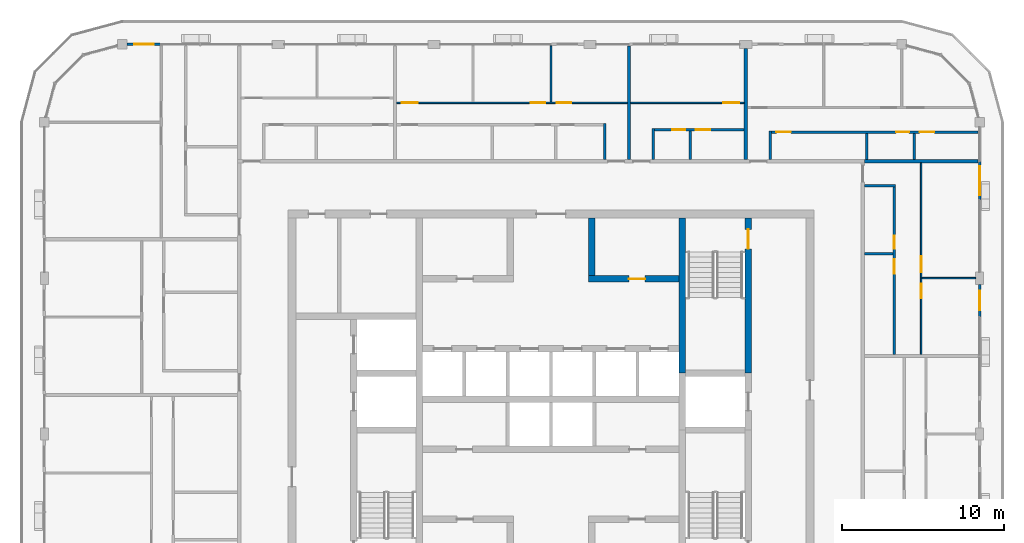
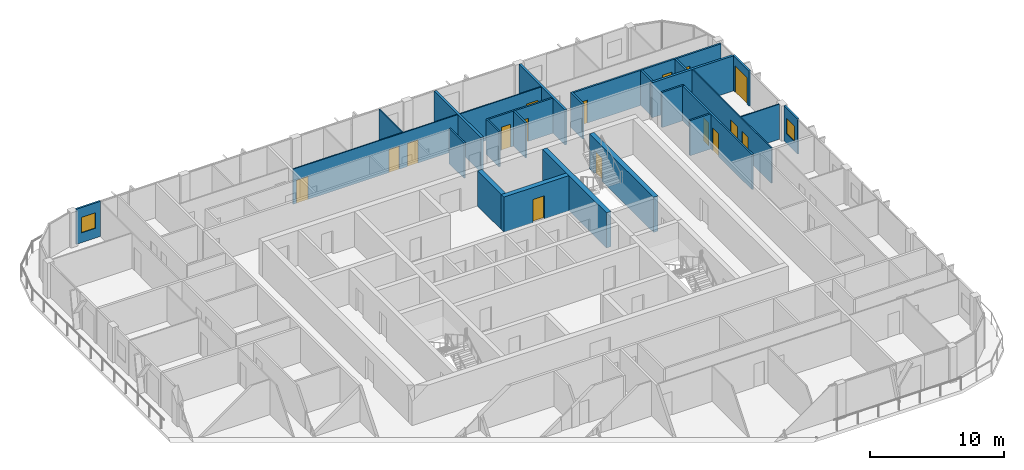
# One storey, part 14 of 21: 26 walls, 16 doors, 2 windows, 18 openings.
"""IFC4 building model written with IfcOpenShell, lengths in metres."""

from ifc_helpers import new_model, si_unit, direction, frame, frame_2d, origin, place, context, subcontext, project, spatial, rectangle, extrude, material, layer, layer_set, type_object, element, fill, save


model = new_model("IFC4")

# Units and contexts
model_context = context("Model", 3, precision=1e-05, world=origin(), true_north=direction((0.0, 1.0)))
body_context = subcontext(model_context, "Body", "Model", "MODEL_VIEW")
ifc_project = project(units=[si_unit("LENGTHUNIT", "METRE"), si_unit("AREAUNIT", "SQUARE_METRE"), si_unit("VOLUMEUNIT", "CUBIC_METRE"), si_unit("PLANEANGLEUNIT", "RADIAN"), si_unit("MASSUNIT", "GRAM", prefix="KILO")], contexts=[model_context])

# Site, building, storey
site_placement = place(None, origin())
site = spatial("IfcSite", under=ifc_project, at=site_placement, CompositionType="ELEMENT")
building_placement = place(site_placement, origin())
building = spatial("IfcBuilding", under=site, at=building_placement, Name="Madar Terraces", CompositionType="ELEMENT")
storey_placement = place(building_placement, frame((0.0, 0.0, 275.60009765625)))
storey = spatial("IfcBuildingStorey", under=building, at=storey_placement, Name="L72", CompositionType="ELEMENT", Elevation=275.60009765625)

# Wall
ifc_material_1 = material(Name="Concrete C50/60", Category="concrete")
ifc_layer_1 = layer(ifc_material_1, 0.39990234375)
ifc_layer_set_1 = layer_set([ifc_layer_1], Name="Concrete C50/60 (CIW6 RC wall 400)")
wall_type_1 = type_object("IfcWallType", Name="CIW6 RC wall 400", PredefinedType="SHEAR", material=ifc_layer_set_1)
wall_1_placement = place(storey_placement, frame((39.300048828125, 27.75, 0.0), z_axis=(0.0, 0.0, 1.0), x_axis=(0.0, 1.0, 0.0)))
element("IfcWall", 1, at=wall_1_placement, inside=storey, type_object=wall_type_1, Name="CORE SHAFT WALL", PredefinedType="SHEAR", context=body_context, shape_type="SweptSolid", body=[
    extrude(rectangle(XDim=9.550048828125, YDim=0.39990234375, at=frame_2d((4.77490234375, 0.0))), origin(), (0.0, 0.0, 1.0), 3.199951171875),
])

# Wall, opening, door
wall_2_placement = place(storey_placement, frame((43.35009765625, 27.75, 0.0), z_axis=(0.0, 0.0, 1.0), x_axis=(0.0, 1.0, 0.0)))
wall_2 = element("IfcWall", 2, at=wall_2_placement, inside=storey, type_object=wall_type_1, Name="CORE SHAFT WALL", PredefinedType="SHEAR", context=body_context, shape_type="SweptSolid", body=[
    extrude(rectangle(XDim=9.550048828125, YDim=0.39990234375, at=frame_2d((4.77490234375, 0.0))), origin(), (0.0, 0.0, 1.0), 3.199951171875),
])
opening_1_placement = place(wall_2_placement, frame((7.64990234375, 0.0, 0.0)))
opening_1 = element("IfcOpeningElement", 3, at=opening_1_placement, cuts=wall_2, Name="Opening SD1", PredefinedType="OPENING", context=body_context, shape_type="SweptSolid", body=[
    extrude(rectangle(XDim=1.199951171875, YDim=2.10009765625, at=frame_2d((0.60009765625, 1.050048828125))), frame((0.0, 0.2099609375, 0.0), z_axis=(0.0, -1.0, 0.0), x_axis=(1.0, 0.0, 0.0)), (0.0, 0.0, 1.0), 0.419921875),
])
ifc_material_2 = material(Name="Steel door leaf", Category="steel")
door_type_1 = type_object("IfcDoorType", Name="Stair door 1200 x 2100", OperationType="NOTDEFINED", PredefinedType="DOOR", material=ifc_material_2)
door_1_placement = place(opening_1_placement, origin())
door_1 = element("IfcDoor", 4, at=door_1_placement, inside=storey, type_object=door_type_1, Name="STAIR DOOR", OperationType="SINGLE_SWING_RIGHT", OverallHeight=2.10009765625, OverallWidth=1.199951171875, PredefinedType="DOOR", context=body_context, shape_type="SweptSolid", body=[
    extrude(rectangle(XDim=1.199951171875, YDim=2.10009765625, at=frame_2d((0.60009765625, 1.050048828125))), frame((0.0, 0.02490234375, 0.0), z_axis=(0.0, -1.0, 0.0), x_axis=(1.0, 0.0, 0.0)), (0.0, 0.0, 1.0), 0.050048828125),
])
fill(opening_1, door_1)

wall_3_placement = place(storey_placement, frame((33.5, 33.550048828125, 0.0), z_axis=(0.0, 0.0, 1.0), x_axis=(1.0, 0.0, 0.0)))
wall_3 = element("IfcWall", 5, at=wall_3_placement, inside=storey, type_object=wall_type_1, Name="CORE SHAFT WALL", PredefinedType="SHEAR", context=body_context, shape_type="SweptSolid", body=[
    extrude(rectangle(XDim=5.60009765625, YDim=0.39990234375, at=frame_2d((2.800048828125, 0.0))), origin(), (0.0, 0.0, 1.0), 3.199951171875),
])
opening_2_placement = place(wall_3_placement, frame((2.5, 0.0, 0.0)))
opening_2 = element("IfcOpeningElement", 6, at=opening_2_placement, cuts=wall_3, Name="Opening KD2", PredefinedType="OPENING", context=body_context, shape_type="SweptSolid", body=[
    extrude(rectangle(XDim=1.0, YDim=2.10009765625, at=frame_2d((0.5, 1.050048828125))), frame((0.0, 0.2099609375, 0.0), z_axis=(0.0, -1.0, 0.0), x_axis=(1.0, 0.0, 0.0)), (0.0, 0.0, 1.0), 0.419921875),
])
ifc_material_3 = material(Name="Steel door leaf", Category="steel")
door_type_2 = type_object("IfcDoorType", Name="Service room door 1000 x 2100", OperationType="NOTDEFINED", PredefinedType="DOOR", material=ifc_material_3)
door_2_placement = place(opening_2_placement, frame((1.0, 0.0, 0.0), z_axis=(0.0, 0.0, 1.0), x_axis=(-1.0, 0.0, 0.0)))
door_2 = element("IfcDoor", 7, at=door_2_placement, inside=storey, type_object=door_type_2, Name="SERVICE ROOM DOOR", OperationType="SINGLE_SWING_RIGHT", OverallHeight=2.10009765625, OverallWidth=1.0, PredefinedType="DOOR", context=body_context, shape_type="SweptSolid", body=[
    extrude(rectangle(XDim=1.0, YDim=2.10009765625, at=frame_2d((0.5, 1.050048828125))), frame((0.0, 0.02490234375, 0.0), z_axis=(0.0, -1.0, 0.0), x_axis=(1.0, 0.0, 0.0)), (0.0, 0.0, 1.0), 0.050048828125),
])
fill(opening_2, door_2)

# Wall
wall_4_placement = place(storey_placement, frame((33.699951171875, 33.75, 0.0), z_axis=(0.0, 0.0, 1.0), x_axis=(0.0, 1.0, 0.0)))
element("IfcWall", 8, at=wall_4_placement, inside=storey, type_object=wall_type_1, Name="CORE SHAFT WALL", PredefinedType="SHEAR", context=body_context, shape_type="SweptSolid", body=[
    extrude(rectangle(XDim=3.550048828125, YDim=0.39990234375, at=frame_2d((1.77490234375, 0.0))), origin(), (0.0, 0.0, 1.0), 3.199951171875),
])

# Wall, opening, window
ifc_material_4 = material(Name="Aluminium composite panel, black, over insulated backing", Category="aluminium")
ifc_layer_2 = layer(ifc_material_4, 0.14990234375)
ifc_layer_set_2 = layer_set([ifc_layer_2], Name="Facade bay panel 150")
wall_type_2 = type_object("IfcWallType", Name="Facade bay panel 150", PredefinedType="SOLIDWALL", material=ifc_layer_set_2)
wall_5_placement = place(storey_placement, frame((57.60009765625, 31.199951171875, 0.0), z_axis=(0.0, 0.0, 1.0), x_axis=(0.0, 1.0, 0.0)))
wall_5 = element("IfcWall", 9, at=wall_5_placement, inside=storey, type_object=wall_type_2, Name="Facade bay panel", PredefinedType="SOLIDWALL", context=body_context, shape_type="SweptSolid", body=[
    extrude(rectangle(XDim=2.025146484375, YDim=0.14990234375, at=frame_2d((1.0126953125, 0.0))), origin(), (0.0, 0.0, 1.0), 3.199951171875),
])
opening_3_placement = place(wall_5_placement, frame((0.41259765625, 0.0, 0.89990234375)))
opening_3 = element("IfcOpeningElement", 10, at=opening_3_placement, cuts=wall_5, Name="Opening W1", PredefinedType="OPENING", context=body_context, shape_type="SweptSolid", body=[
    extrude(rectangle(XDim=1.199951171875, YDim=1.39990234375, at=frame_2d((0.60009765625, 0.699951171875))), frame((0.0, 0.0849609375, 0.0), z_axis=(0.0, -1.0, 0.0), x_axis=(1.0, 0.0, 0.0)), (0.0, 0.0, 1.0), 0.169921875),
])
ifc_material_5 = material(Name="Glass, clear, with black aluminium frame", Category="aluminium")
window_type = type_object("IfcWindowType", Name="Vent window 1200 x 1400", PartitioningType="SINGLE_PANEL", PredefinedType="WINDOW", material=ifc_material_5)
window_1_placement = place(opening_3_placement, origin())
window_1 = element("IfcWindow", 11, at=window_1_placement, inside=storey, type_object=window_type, Name="Operable vent window", OverallHeight=1.39990234375, OverallWidth=1.199951171875, PartitioningType="SINGLE_PANEL", PredefinedType="WINDOW", context=body_context, shape_type="SweptSolid", body=[
    extrude(rectangle(XDim=1.199951171875, YDim=1.39990234375, at=frame_2d((0.60009765625, 0.699951171875))), frame((0.0, 0.030029296875, 0.0), z_axis=(0.0, -1.0, 0.0), x_axis=(1.0, 0.0, 0.0)), (0.0, 0.0, 1.0), 0.06005859375),
])
fill(opening_3, window_1)

# Wall, opening, door
wall_6_placement = place(storey_placement, frame((57.60009765625, 38.39990234375, 0.0), z_axis=(0.0, 0.0, 1.0), x_axis=(0.0, 1.0, 0.0)))
wall_6 = element("IfcWall", 12, at=wall_6_placement, inside=storey, type_object=wall_type_2, Name="Facade bay panel", PredefinedType="SOLIDWALL", context=body_context, shape_type="SweptSolid", body=[
    extrude(rectangle(XDim=2.400146484375, YDim=0.14990234375, at=frame_2d((1.2001953125, 0.0))), origin(), (0.0, 0.0, 1.0), 3.199951171875),
])
opening_4_placement = place(wall_6_placement, frame((0.300048828125, 0.0, 0.0)))
opening_4 = element("IfcOpeningElement", 13, at=opening_4_placement, cuts=wall_6, Name="Opening ED1", PredefinedType="OPENING", context=body_context, shape_type="SweptSolid", body=[
    extrude(rectangle(XDim=1.800048828125, YDim=2.39990234375, at=frame_2d((0.89990234375, 1.199951171875))), frame((0.0, 0.0849609375, 0.0), z_axis=(0.0, -1.0, 0.0), x_axis=(1.0, 0.0, 0.0)), (0.0, 0.0, 1.0), 0.169921875),
])
ifc_material_6 = material(Name="Glass, clear, with black aluminium frame", Category="aluminium")
door_type_3 = type_object("IfcDoorType", Name="Balcony and terrace sliding door 1800 x 2400", OperationType="SLIDING_TO_LEFT", PredefinedType="DOOR", material=ifc_material_6)
door_3_placement = place(opening_4_placement, origin())
door_3 = element("IfcDoor", 14, at=door_3_placement, inside=storey, type_object=door_type_3, Name="Balcony door", OperationType="SLIDING_TO_LEFT", OverallHeight=2.39990234375, OverallWidth=1.800048828125, PredefinedType="DOOR", context=body_context, shape_type="SweptSolid", body=[
    extrude(rectangle(XDim=1.800048828125, YDim=2.39990234375, at=frame_2d((0.89990234375, 1.199951171875))), frame((0.0, 0.02490234375, 0.0), z_axis=(0.0, -1.0, 0.0), x_axis=(1.0, 0.0, 0.0)), (0.0, 0.0, 1.0), 0.050048828125),
])
fill(opening_4, door_3)

# Wall, opening, window
wall_7_placement = place(storey_placement, frame((7.199951171875, 48.0, 0.0), z_axis=(0.0, 0.0, 1.0), x_axis=(-1.0, 0.0, 0.0)))
wall_7 = element("IfcWall", 15, at=wall_7_placement, inside=storey, type_object=wall_type_2, Name="Facade bay panel", PredefinedType="SOLIDWALL", context=body_context, shape_type="SweptSolid", body=[
    extrude(rectangle(XDim=2.099853515625, YDim=0.14990234375, at=frame_2d((1.0498046875, 0.0))), origin(), (0.0, 0.0, 1.0), 3.199951171875),
])
opening_5_placement = place(wall_7_placement, frame((0.449951171875, 0.0, 0.89990234375)))
opening_5 = element("IfcOpeningElement", 16, at=opening_5_placement, cuts=wall_7, Name="Opening W1", PredefinedType="OPENING", context=body_context, shape_type="SweptSolid", body=[
    extrude(rectangle(XDim=1.199951171875, YDim=1.39990234375, at=frame_2d((0.60009765625, 0.699951171875))), frame((0.0, 0.0849609375, 0.0), z_axis=(0.0, -1.0, 0.0), x_axis=(1.0, 0.0, 0.0)), (0.0, 0.0, 1.0), 0.169921875),
])
window_2_placement = place(opening_5_placement, origin())
window_2 = element("IfcWindow", 17, at=window_2_placement, inside=storey, type_object=window_type, Name="Operable vent window", OverallHeight=1.39990234375, OverallWidth=1.199951171875, PartitioningType="SINGLE_PANEL", PredefinedType="WINDOW", context=body_context, shape_type="SweptSolid", body=[
    extrude(rectangle(XDim=1.199951171875, YDim=1.39990234375, at=frame_2d((0.60009765625, 0.699951171875))), frame((0.0, 0.030029296875, 0.0), z_axis=(0.0, -1.0, 0.0), x_axis=(1.0, 0.0, 0.0)), (0.0, 0.0, 1.0), 0.06005859375),
])
fill(opening_5, window_2)

# Wall
ifc_material_7 = material(Name="Gypsum board on steel studs", Category="steel")
ifc_layer_3 = layer(ifc_material_7, 0.10009765625)
ifc_layer_set_3 = layer_set([ifc_layer_3], Name="Flat partition 100")
wall_type_3 = type_object("IfcWallType", Name="Flat partition 100", PredefinedType="PARTITIONING", material=ifc_layer_set_3)
wall_8_placement = place(storey_placement, frame((54.050048828125, 33.60009765625, 0.0), z_axis=(0.0, 0.0, 1.0), x_axis=(1.0, 0.0, 0.0)))
element("IfcWall", 18, at=wall_8_placement, inside=storey, type_object=wall_type_3, Name="Flat partition 100", PredefinedType="PARTITIONING", context=body_context, shape_type="SweptSolid", body=[
    extrude(rectangle(XDim=3.300048828125, YDim=0.10009765625, at=frame_2d((1.64990234375, 0.0))), origin(), (0.0, 0.0, 1.0), 3.199951171875),
])

# Wall, openings, doors
wall_9_placement = place(storey_placement, frame((54.0, 40.699951171875, 0.0), z_axis=(0.0, 0.0, 1.0), x_axis=(0.0, -1.0, 0.0)))
wall_9 = element("IfcWall", 19, at=wall_9_placement, inside=storey, type_object=wall_type_3, Name="Flat partition 100", PredefinedType="PARTITIONING", context=body_context, shape_type="SweptSolid", body=[
    extrude(rectangle(XDim=11.800048828125, YDim=0.10009765625, at=frame_2d((5.89990234375, 0.0))), origin(), (0.0, 0.0, 1.0), 3.199951171875),
])
opening_6_placement = place(wall_9_placement, frame((5.75, 0.0, 0.0)))
opening_6 = element("IfcOpeningElement", 20, at=opening_6_placement, cuts=wall_9, Name="Opening D3", PredefinedType="OPENING", context=body_context, shape_type="SweptSolid", body=[
    extrude(rectangle(XDim=1.0, YDim=2.10009765625, at=frame_2d((0.5, 1.050048828125))), frame((0.0, 0.06005859375, 0.0), z_axis=(0.0, -1.0, 0.0), x_axis=(1.0, 0.0, 0.0)), (0.0, 0.0, 1.0), 0.1201171875),
])
opening_7_placement = place(wall_9_placement, frame((7.449951171875, 0.0, 0.0)))
opening_7 = element("IfcOpeningElement", 21, at=opening_7_placement, cuts=wall_9, Name="Opening D2", PredefinedType="OPENING", context=body_context, shape_type="SweptSolid", body=[
    extrude(rectangle(XDim=0.89990234375, YDim=2.10009765625, at=frame_2d((0.449951171875, 1.050048828125))), frame((0.0, 0.06005859375, 0.0), z_axis=(0.0, -1.0, 0.0), x_axis=(1.0, 0.0, 0.0)), (0.0, 0.0, 1.0), 0.1201171875),
])
ifc_material_8 = material(Name="Timber door leaf", Category="wood")
door_type_4 = type_object("IfcDoorType", Name="Flat living room door 1000", OperationType="NOTDEFINED", PredefinedType="DOOR", material=ifc_material_8)
door_4_placement = place(opening_6_placement, origin())
door_4 = element("IfcDoor", 22, at=door_4_placement, inside=storey, type_object=door_type_4, Name="Flat living room door 1000", OperationType="SINGLE_SWING_RIGHT", OverallHeight=2.10009765625, OverallWidth=1.0, PredefinedType="DOOR", context=body_context, shape_type="SweptSolid", body=[
    extrude(rectangle(XDim=1.0, YDim=2.10009765625, at=frame_2d((0.5, 1.050048828125))), frame((0.0, 0.02490234375, 0.0), z_axis=(0.0, -1.0, 0.0), x_axis=(1.0, 0.0, 0.0)), (0.0, 0.0, 1.0), 0.050048828125),
])
fill(opening_6, door_4)
ifc_material_9 = material(Name="Timber door leaf", Category="wood")
door_type_5 = type_object("IfcDoorType", Name="Flat room door 900", OperationType="NOTDEFINED", PredefinedType="DOOR", material=ifc_material_9)
door_5_placement = place(opening_7_placement, origin())
door_5 = element("IfcDoor", 23, at=door_5_placement, inside=storey, type_object=door_type_5, Name="Flat room door 900", OperationType="SINGLE_SWING_LEFT", OverallHeight=2.10009765625, OverallWidth=0.89990234375, PredefinedType="DOOR", context=body_context, shape_type="SweptSolid", body=[
    extrude(rectangle(XDim=0.89990234375, YDim=2.10009765625, at=frame_2d((0.449951171875, 1.050048828125))), frame((0.0, 0.02490234375, 0.0), z_axis=(0.0, -1.0, 0.0), x_axis=(1.0, 0.0, 0.0)), (0.0, 0.0, 1.0), 0.050048828125),
])
fill(opening_7, door_5)

# Wall, opening, door
wall_10_placement = place(storey_placement, frame((36.10009765625, 44.39990234375, 0.0), z_axis=(0.0, 0.0, 1.0), x_axis=(1.0, 0.0, 0.0)))
wall_10 = element("IfcWall", 24, at=wall_10_placement, inside=storey, type_object=wall_type_3, Name="Flat partition 100", PredefinedType="PARTITIONING", context=body_context, shape_type="SweptSolid", body=[
    extrude(rectangle(XDim=7.0, YDim=0.10009765625, at=frame_2d((3.5, 0.0))), origin(), (0.0, 0.0, 1.0), 3.199951171875),
])
opening_8_placement = place(wall_10_placement, frame((5.699951171875, 0.0, 0.0)))
opening_8 = element("IfcOpeningElement", 25, at=opening_8_placement, cuts=wall_10, Name="Opening D3", PredefinedType="OPENING", context=body_context, shape_type="SweptSolid", body=[
    extrude(rectangle(XDim=1.0, YDim=2.10009765625, at=frame_2d((0.5, 1.050048828125))), frame((0.0, 0.06005859375, 0.0), z_axis=(0.0, -1.0, 0.0), x_axis=(1.0, 0.0, 0.0)), (0.0, 0.0, 1.0), 0.1201171875),
])
door_6_placement = place(opening_8_placement, origin())
door_6 = element("IfcDoor", 26, at=door_6_placement, inside=storey, type_object=door_type_4, Name="Flat living room door 1000", OperationType="SINGLE_SWING_RIGHT", OverallHeight=2.10009765625, OverallWidth=1.0, PredefinedType="DOOR", context=body_context, shape_type="SweptSolid", body=[
    extrude(rectangle(XDim=1.0, YDim=2.10009765625, at=frame_2d((0.5, 1.050048828125))), frame((0.0, 0.02490234375, 0.0), z_axis=(0.0, -1.0, 0.0), x_axis=(1.0, 0.0, 0.0)), (0.0, 0.0, 1.0), 0.050048828125),
])
fill(opening_8, door_6)

# Wall
wall_11_placement = place(storey_placement, frame((31.199951171875, 44.449951171875, 0.0), z_axis=(0.0, 0.0, 1.0), x_axis=(0.0, 1.0, 0.0)))
element("IfcWall", 27, at=wall_11_placement, inside=storey, type_object=wall_type_3, Name="Flat partition 100", PredefinedType="PARTITIONING", context=body_context, shape_type="SweptSolid", body=[
    extrude(rectangle(XDim=3.449951171875, YDim=0.10009765625, at=frame_2d((1.72509765625, 0.0))), origin(), (0.0, 0.0, 1.0), 3.199951171875),
])

# Wall, openings, doors
wall_12_placement = place(storey_placement, frame((21.699951171875, 44.39990234375, 0.0), z_axis=(0.0, 0.0, 1.0), x_axis=(1.0, 0.0, 0.0)))
wall_12 = element("IfcWall", 28, at=wall_12_placement, inside=storey, type_object=wall_type_3, Name="Flat partition 100", PredefinedType="PARTITIONING", context=body_context, shape_type="SweptSolid", body=[
    extrude(rectangle(XDim=14.199951171875, YDim=0.10009765625, at=frame_2d((7.10009765625, 0.0))), origin(), (0.0, 0.0, 1.0), 3.199951171875),
])
opening_9_placement = place(wall_12_placement, frame((9.85009765625, 0.0, 0.0)))
opening_9 = element("IfcOpeningElement", 29, at=opening_9_placement, cuts=wall_12, Name="Opening D2", PredefinedType="OPENING", context=body_context, shape_type="SweptSolid", body=[
    extrude(rectangle(XDim=0.89990234375, YDim=2.10009765625, at=frame_2d((0.449951171875, 1.050048828125))), frame((0.0, 0.06005859375, 0.0), z_axis=(0.0, -1.0, 0.0), x_axis=(1.0, 0.0, 0.0)), (0.0, 0.0, 1.0), 0.1201171875),
])
opening_10_placement = place(wall_12_placement, frame((8.25, 0.0, 0.0)))
opening_10 = element("IfcOpeningElement", 30, at=opening_10_placement, cuts=wall_12, Name="Opening D2", PredefinedType="OPENING", context=body_context, shape_type="SweptSolid", body=[
    extrude(rectangle(XDim=0.89990234375, YDim=2.10009765625, at=frame_2d((0.449951171875, 1.050048828125))), frame((0.0, 0.06005859375, 0.0), z_axis=(0.0, -1.0, 0.0), x_axis=(1.0, 0.0, 0.0)), (0.0, 0.0, 1.0), 0.1201171875),
])
opening_11_placement = place(wall_12_placement, frame((0.300048828125, 0.0, 0.0)))
opening_11 = element("IfcOpeningElement", 31, at=opening_11_placement, cuts=wall_12, Name="Opening D3", PredefinedType="OPENING", context=body_context, shape_type="SweptSolid", body=[
    extrude(rectangle(XDim=1.0, YDim=2.10009765625, at=frame_2d((0.5, 1.050048828125))), frame((0.0, 0.06005859375, 0.0), z_axis=(0.0, -1.0, 0.0), x_axis=(1.0, 0.0, 0.0)), (0.0, 0.0, 1.0), 0.1201171875),
])
door_7_placement = place(opening_11_placement, origin())
door_7 = element("IfcDoor", 32, at=door_7_placement, inside=storey, type_object=door_type_4, Name="Flat living room door 1000", OperationType="SINGLE_SWING_LEFT", OverallHeight=2.10009765625, OverallWidth=1.0, PredefinedType="DOOR", context=body_context, shape_type="SweptSolid", body=[
    extrude(rectangle(XDim=1.0, YDim=2.10009765625, at=frame_2d((0.5, 1.050048828125))), frame((0.0, 0.02490234375, 0.0), z_axis=(0.0, -1.0, 0.0), x_axis=(1.0, 0.0, 0.0)), (0.0, 0.0, 1.0), 0.050048828125),
])
fill(opening_11, door_7)
door_8_placement = place(opening_9_placement, origin())
door_8 = element("IfcDoor", 33, at=door_8_placement, inside=storey, type_object=door_type_5, Name="Flat room door 900", OperationType="SINGLE_SWING_LEFT", OverallHeight=2.10009765625, OverallWidth=0.89990234375, PredefinedType="DOOR", context=body_context, shape_type="SweptSolid", body=[
    extrude(rectangle(XDim=0.89990234375, YDim=2.10009765625, at=frame_2d((0.449951171875, 1.050048828125))), frame((0.0, 0.02490234375, 0.0), z_axis=(0.0, -1.0, 0.0), x_axis=(1.0, 0.0, 0.0)), (0.0, 0.0, 1.0), 0.050048828125),
])
fill(opening_9, door_8)
door_9_placement = place(opening_10_placement, origin())
door_9 = element("IfcDoor", 34, at=door_9_placement, inside=storey, type_object=door_type_5, Name="Flat room door 900", OperationType="SINGLE_SWING_RIGHT", OverallHeight=2.10009765625, OverallWidth=0.89990234375, PredefinedType="DOOR", context=body_context, shape_type="SweptSolid", body=[
    extrude(rectangle(XDim=0.89990234375, YDim=2.10009765625, at=frame_2d((0.449951171875, 1.050048828125))), frame((0.0, 0.02490234375, 0.0), z_axis=(0.0, -1.0, 0.0), x_axis=(1.0, 0.0, 0.0)), (0.0, 0.0, 1.0), 0.050048828125),
])
fill(opening_10, door_9)

# Walls
ifc_material_10 = material(Name="Lightweight blockwork", Category="masonry")
ifc_layer_4 = layer(ifc_material_10, 0.199951171875)
ifc_layer_set_4 = layer_set([ifc_layer_4], Name="Flat party and entrance wall 200")
wall_type_4 = type_object("IfcWallType", Name="Flat party and entrance wall 200", PredefinedType="PARTITIONING", material=ifc_layer_set_4)
wall_13_placement = place(storey_placement, frame((50.5, 40.800048828125, 0.0), z_axis=(0.0, 0.0, 1.0), x_axis=(1.0, 0.0, 0.0)))
element("IfcWall", 35, at=wall_13_placement, inside=storey, type_object=wall_type_4, Name="Flat party and entrance wall 200", PredefinedType="PARTITIONING", context=body_context, shape_type="SweptSolid", body=[
    extrude(rectangle(XDim=7.0, YDim=0.199951171875, at=frame_2d((3.5, 0.0))), origin(), (0.0, 0.0, 1.0), 3.199951171875),
])
wall_14_placement = place(storey_placement, frame((43.199951171875, 47.75, 0.0), z_axis=(0.0, 0.0, 1.0), x_axis=(0.0, -1.0, 0.0)))
element("IfcWall", 36, at=wall_14_placement, inside=storey, type_object=wall_type_4, Name="Flat party and entrance wall 200", PredefinedType="PARTITIONING", context=body_context, shape_type="SweptSolid", body=[
    extrude(rectangle(XDim=6.85009765625, YDim=0.199951171875, at=frame_2d((3.425048828125, 0.0))), origin(), (0.0, 0.0, 1.0), 3.199951171875),
])
wall_15_placement = place(storey_placement, frame((36.0, 47.89990234375, 0.0), z_axis=(0.0, 0.0, 1.0), x_axis=(0.0, -1.0, 0.0)))
element("IfcWall", 37, at=wall_15_placement, inside=storey, type_object=wall_type_4, Name="Flat party and entrance wall 200", PredefinedType="PARTITIONING", context=body_context, shape_type="SweptSolid", body=[
    extrude(rectangle(XDim=7.0, YDim=0.199951171875, at=frame_2d((3.5, 0.0))), origin(), (0.0, 0.0, 1.0), 3.199951171875),
])
ifc_material_11 = material(Name="Lightweight blockwork", Category="masonry")
ifc_layer_5 = layer(ifc_material_11, 0.14990234375)
ifc_layer_set_5 = layer_set([ifc_layer_5], Name="Flat wet-room partition 150")
wall_type_5 = type_object("IfcWallType", Name="Flat wet-room partition 150", PredefinedType="PARTITIONING", material=ifc_layer_set_5)
wall_16_placement = place(storey_placement, frame((50.5, 35.094970703125, 0.0), z_axis=(0.0, 0.0, 1.0), x_axis=(1.0, 0.0, 0.0)))
element("IfcWall", 38, at=wall_16_placement, inside=storey, type_object=wall_type_5, Name="Flat wet-room partition 150", PredefinedType="PARTITIONING", context=body_context, shape_type="SweptSolid", body=[
    extrude(rectangle(XDim=1.77490234375, YDim=0.14990234375, at=frame_2d((0.887451171875, 0.0))), origin(), (0.0, 0.0, 1.0), 3.199951171875),
])
wall_17_placement = place(storey_placement, frame((50.5, 39.300048828125, 0.0), z_axis=(0.0, 0.0, 1.0), x_axis=(1.0, 0.0, 0.0)))
element("IfcWall", 39, at=wall_17_placement, inside=storey, type_object=wall_type_5, Name="Flat wet-room partition 150", PredefinedType="PARTITIONING", context=body_context, shape_type="SweptSolid", body=[
    extrude(rectangle(XDim=1.925048828125, YDim=0.14990234375, at=frame_2d((0.96240234375, 0.0))), origin(), (0.0, 0.0, 1.0), 3.199951171875),
])

# Wall, openings, doors
wall_18_placement = place(storey_placement, frame((52.35009765625, 28.89990234375, 0.0), z_axis=(0.0, 0.0, 1.0), x_axis=(0.0, 1.0, 0.0)))
wall_18 = element("IfcWall", 40, at=wall_18_placement, inside=storey, type_object=wall_type_5, Name="Flat wet-room partition 150", PredefinedType="PARTITIONING", context=body_context, shape_type="SweptSolid", body=[
    extrude(rectangle(XDim=10.3251953125, YDim=0.14990234375, at=frame_2d((5.16259765625, 0.0))), origin(), (0.0, 0.0, 1.0), 3.199951171875),
])
opening_12_placement = place(wall_18_placement, frame((6.52001953125, 0.0, 0.0)))
opening_12 = element("IfcOpeningElement", 41, at=opening_12_placement, cuts=wall_18, Name="Opening D4", PredefinedType="OPENING", context=body_context, shape_type="SweptSolid", body=[
    extrude(rectangle(XDim=0.800048828125, YDim=2.10009765625, at=frame_2d((0.39990234375, 1.050048828125))), frame((0.0, 0.0849609375, 0.0), z_axis=(0.0, -1.0, 0.0), x_axis=(1.0, 0.0, 0.0)), (0.0, 0.0, 1.0), 0.169921875),
])
opening_13_placement = place(wall_18_placement, frame((4.969970703125, 0.0, 0.0)))
opening_13 = element("IfcOpeningElement", 42, at=opening_13_placement, cuts=wall_18, Name="Opening D2", PredefinedType="OPENING", context=body_context, shape_type="SweptSolid", body=[
    extrude(rectangle(XDim=0.89990234375, YDim=2.10009765625, at=frame_2d((0.449951171875, 1.050048828125))), frame((0.0, 0.0849609375, 0.0), z_axis=(0.0, -1.0, 0.0), x_axis=(1.0, 0.0, 0.0)), (0.0, 0.0, 1.0), 0.169921875),
])
ifc_material_12 = material(Name="Timber door leaf", Category="wood")
door_type_6 = type_object("IfcDoorType", Name="Flat bathroom door 800", OperationType="NOTDEFINED", PredefinedType="DOOR", material=ifc_material_12)
door_10_placement = place(opening_12_placement, origin())
door_10 = element("IfcDoor", 43, at=door_10_placement, inside=storey, type_object=door_type_6, Name="Flat bathroom door 800", OperationType="SINGLE_SWING_LEFT", OverallHeight=2.10009765625, OverallWidth=0.800048828125, PredefinedType="DOOR", context=body_context, shape_type="SweptSolid", body=[
    extrude(rectangle(XDim=0.800048828125, YDim=2.10009765625, at=frame_2d((0.39990234375, 1.050048828125))), frame((0.0, 0.02490234375, 0.0), z_axis=(0.0, -1.0, 0.0), x_axis=(1.0, 0.0, 0.0)), (0.0, 0.0, 1.0), 0.050048828125),
])
fill(opening_12, door_10)
door_11_placement = place(opening_13_placement, origin())
door_11 = element("IfcDoor", 44, at=door_11_placement, inside=storey, type_object=door_type_5, Name="Flat room door 900", OperationType="SINGLE_SWING_RIGHT", OverallHeight=2.10009765625, OverallWidth=0.89990234375, PredefinedType="DOOR", context=body_context, shape_type="SweptSolid", body=[
    extrude(rectangle(XDim=0.89990234375, YDim=2.10009765625, at=frame_2d((0.449951171875, 1.050048828125))), frame((0.0, 0.02490234375, 0.0), z_axis=(0.0, -1.0, 0.0), x_axis=(1.0, 0.0, 0.0)), (0.0, 0.0, 1.0), 0.050048828125),
])
fill(opening_13, door_11)

# Walls
for number, where, z_axis, x_axis, name in (
    (45, (50.648193359375, 40.89990234375, 0.0), (0.0, 0.0, 1.0), (0.0, 1.0, 0.0), "Flat wet-room partition 150"),
    (46, (53.584716796875, 40.89990234375, 0.0), (0.0, 0.0, 1.0), (0.0, 1.0, 0.0), "Flat wet-room partition 150"),
):
    element("IfcWall", number, at=place(storey_placement, frame(where, z_axis=z_axis, x_axis=x_axis)), inside=storey, type_object=wall_type_5, Name=name, PredefinedType="PARTITIONING", context=body_context, shape_type="SweptSolid", body=[
        extrude(rectangle(XDim=1.625, YDim=0.14990234375, at=frame_2d((0.8125, 0.0))), origin(), (0.0, 0.0, 1.0), 3.199951171875),
    ])
wall_19_placement = place(storey_placement, frame((44.699951171875, 40.89990234375, 0.0), z_axis=(0.0, 0.0, 1.0), x_axis=(0.0, 1.0, 0.0)))
element("IfcWall", 47, at=wall_19_placement, inside=storey, type_object=wall_type_5, Name="Flat wet-room partition 150", PredefinedType="PARTITIONING", context=body_context, shape_type="SweptSolid", body=[
    extrude(rectangle(XDim=1.775146484375, YDim=0.14990234375, at=frame_2d((0.8876953125, 0.0))), origin(), (0.0, 0.0, 1.0), 3.199951171875),
])

# Wall, openings, doors
wall_20_placement = place(storey_placement, frame((57.5, 42.60009765625, 0.0), z_axis=(0.0, 0.0, 1.0), x_axis=(-1.0, 0.0, 0.0)))
wall_20 = element("IfcWall", 48, at=wall_20_placement, inside=storey, type_object=wall_type_5, Name="Flat wet-room partition 150", PredefinedType="PARTITIONING", context=body_context, shape_type="SweptSolid", body=[
    extrude(rectangle(XDim=12.72509765625, YDim=0.14990234375, at=frame_2d((6.362548828125, 0.0))), origin(), (0.0, 0.0, 1.0), 3.199951171875),
])
opening_14_placement = place(wall_20_placement, frame((11.52490234375, 0.0, 0.0)))
opening_14 = element("IfcOpeningElement", 49, at=opening_14_placement, cuts=wall_20, Name="Opening D2", PredefinedType="OPENING", context=body_context, shape_type="SweptSolid", body=[
    extrude(rectangle(XDim=0.89990234375, YDim=2.10009765625, at=frame_2d((0.449951171875, 1.050048828125))), frame((0.0, 0.0849609375, 0.0), z_axis=(0.0, -1.0, 0.0), x_axis=(1.0, 0.0, 0.0)), (0.0, 0.0, 1.0), 0.169921875),
])
opening_15_placement = place(wall_20_placement, frame((4.240478515625, 0.0, 0.0)))
opening_15 = element("IfcOpeningElement", 50, at=opening_15_placement, cuts=wall_20, Name="Opening D4", PredefinedType="OPENING", context=body_context, shape_type="SweptSolid", body=[
    extrude(rectangle(XDim=0.800048828125, YDim=2.10009765625, at=frame_2d((0.39990234375, 1.050048828125))), frame((0.0, 0.0849609375, 0.0), z_axis=(0.0, -1.0, 0.0), x_axis=(1.0, 0.0, 0.0)), (0.0, 0.0, 1.0), 0.169921875),
])
opening_16_placement = place(wall_20_placement, frame((2.6904296875, 0.0, 0.0)))
opening_16 = element("IfcOpeningElement", 51, at=opening_16_placement, cuts=wall_20, Name="Opening D5", PredefinedType="OPENING", context=body_context, shape_type="SweptSolid", body=[
    extrude(rectangle(XDim=0.89990234375, YDim=2.10009765625, at=frame_2d((0.449951171875, 1.050048828125))), frame((0.0, 0.0849609375, 0.0), z_axis=(0.0, -1.0, 0.0), x_axis=(1.0, 0.0, 0.0)), (0.0, 0.0, 1.0), 0.169921875),
])
ifc_material_13 = material(Name="Timber door leaf", Category="wood")
door_type_7 = type_object("IfcDoorType", Name="Flat accessible bathroom door 900", OperationType="NOTDEFINED", PredefinedType="DOOR", material=ifc_material_13)
door_12_placement = place(opening_16_placement, origin())
door_12 = element("IfcDoor", 52, at=door_12_placement, inside=storey, type_object=door_type_7, Name="Flat accessible bathroom door 900", OperationType="SINGLE_SWING_RIGHT", OverallHeight=2.10009765625, OverallWidth=0.89990234375, PredefinedType="DOOR", context=body_context, shape_type="SweptSolid", body=[
    extrude(rectangle(XDim=0.89990234375, YDim=2.10009765625, at=frame_2d((0.449951171875, 1.050048828125))), frame((0.0, 0.02490234375, 0.0), z_axis=(0.0, -1.0, 0.0), x_axis=(1.0, 0.0, 0.0)), (0.0, 0.0, 1.0), 0.050048828125),
])
fill(opening_16, door_12)
door_13_placement = place(opening_15_placement, origin())
door_13 = element("IfcDoor", 53, at=door_13_placement, inside=storey, type_object=door_type_6, Name="Flat bathroom door 800", OperationType="SINGLE_SWING_LEFT", OverallHeight=2.10009765625, OverallWidth=0.800048828125, PredefinedType="DOOR", context=body_context, shape_type="SweptSolid", body=[
    extrude(rectangle(XDim=0.800048828125, YDim=2.10009765625, at=frame_2d((0.39990234375, 1.050048828125))), frame((0.0, 0.02490234375, 0.0), z_axis=(0.0, -1.0, 0.0), x_axis=(1.0, 0.0, 0.0)), (0.0, 0.0, 1.0), 0.050048828125),
])
fill(opening_15, door_13)
door_14_placement = place(opening_14_placement, origin())
door_14 = element("IfcDoor", 54, at=door_14_placement, inside=storey, type_object=door_type_5, Name="Flat room door 900", OperationType="SINGLE_SWING_RIGHT", OverallHeight=2.10009765625, OverallWidth=0.89990234375, PredefinedType="DOOR", context=body_context, shape_type="SweptSolid", body=[
    extrude(rectangle(XDim=0.89990234375, YDim=2.10009765625, at=frame_2d((0.449951171875, 1.050048828125))), frame((0.0, 0.02490234375, 0.0), z_axis=(0.0, -1.0, 0.0), x_axis=(1.0, 0.0, 0.0)), (0.0, 0.0, 1.0), 0.050048828125),
])
fill(opening_14, door_14)

# Walls
wall_21_placement = place(storey_placement, frame((39.784912109375, 40.89990234375, 0.0), z_axis=(0.0, 0.0, 1.0), x_axis=(0.0, 1.0, 0.0)))
element("IfcWall", 55, at=wall_21_placement, inside=storey, type_object=wall_type_5, Name="Flat wet-room partition 150", PredefinedType="PARTITIONING", context=body_context, shape_type="SweptSolid", body=[
    extrude(rectangle(XDim=1.775146484375, YDim=0.14990234375, at=frame_2d((0.8876953125, 0.0))), origin(), (0.0, 0.0, 1.0), 3.199951171875),
])
wall_22_placement = place(storey_placement, frame((37.5, 40.89990234375, 0.0), z_axis=(0.0, 0.0, 1.0), x_axis=(0.0, 1.0, 0.0)))
element("IfcWall", 56, at=wall_22_placement, inside=storey, type_object=wall_type_5, Name="Flat wet-room partition 150", PredefinedType="PARTITIONING", context=body_context, shape_type="SweptSolid", body=[
    extrude(rectangle(XDim=1.925048828125, YDim=0.14990234375, at=frame_2d((0.96240234375, 0.0))), origin(), (0.0, 0.0, 1.0), 3.199951171875),
])

# Wall, openings, doors
wall_23_placement = place(storey_placement, frame((43.10009765625, 42.75, 0.0), z_axis=(0.0, 0.0, 1.0), x_axis=(-1.0, 0.0, 0.0)))
wall_23 = element("IfcWall", 57, at=wall_23_placement, inside=storey, type_object=wall_type_5, Name="Flat wet-room partition 150", PredefinedType="PARTITIONING", context=body_context, shape_type="SweptSolid", body=[
    extrude(rectangle(XDim=5.525146484375, YDim=0.14990234375, at=frame_2d((2.7626953125, 0.0))), origin(), (0.0, 0.0, 1.0), 3.199951171875),
])
opening_17_placement = place(wall_23_placement, frame((3.639892578125, 0.0, 0.0)))
opening_17 = element("IfcOpeningElement", 58, at=opening_17_placement, cuts=wall_23, Name="Opening D4", PredefinedType="OPENING", context=body_context, shape_type="SweptSolid", body=[
    extrude(rectangle(XDim=0.800048828125, YDim=2.10009765625, at=frame_2d((0.39990234375, 1.050048828125))), frame((0.0, 0.0849609375, 0.0), z_axis=(0.0, -1.0, 0.0), x_axis=(1.0, 0.0, 0.0)), (0.0, 0.0, 1.0), 0.169921875),
])
opening_18_placement = place(wall_23_placement, frame((2.090087890625, 0.0, 0.0)))
opening_18 = element("IfcOpeningElement", 59, at=opening_18_placement, cuts=wall_23, Name="Opening D2", PredefinedType="OPENING", context=body_context, shape_type="SweptSolid", body=[
    extrude(rectangle(XDim=0.89990234375, YDim=2.10009765625, at=frame_2d((0.449951171875, 1.050048828125))), frame((0.0, 0.0849609375, 0.0), z_axis=(0.0, -1.0, 0.0), x_axis=(1.0, 0.0, 0.0)), (0.0, 0.0, 1.0), 0.169921875),
])
door_15_placement = place(opening_17_placement, origin())
door_15 = element("IfcDoor", 60, at=door_15_placement, inside=storey, type_object=door_type_6, Name="Flat bathroom door 800", OperationType="SINGLE_SWING_LEFT", OverallHeight=2.10009765625, OverallWidth=0.800048828125, PredefinedType="DOOR", context=body_context, shape_type="SweptSolid", body=[
    extrude(rectangle(XDim=0.800048828125, YDim=2.10009765625, at=frame_2d((0.39990234375, 1.050048828125))), frame((0.0, 0.02490234375, 0.0), z_axis=(0.0, -1.0, 0.0), x_axis=(1.0, 0.0, 0.0)), (0.0, 0.0, 1.0), 0.050048828125),
])
fill(opening_17, door_15)
door_16_placement = place(opening_18_placement, origin())
door_16 = element("IfcDoor", 61, at=door_16_placement, inside=storey, type_object=door_type_5, Name="Flat room door 900", OperationType="SINGLE_SWING_RIGHT", OverallHeight=2.10009765625, OverallWidth=0.89990234375, PredefinedType="DOOR", context=body_context, shape_type="SweptSolid", body=[
    extrude(rectangle(XDim=0.89990234375, YDim=2.10009765625, at=frame_2d((0.449951171875, 1.050048828125))), frame((0.0, 0.02490234375, 0.0), z_axis=(0.0, -1.0, 0.0), x_axis=(1.0, 0.0, 0.0)), (0.0, 0.0, 1.0), 0.050048828125),
])
fill(opening_18, door_16)

# Wall
wall_24_placement = place(storey_placement, frame((34.5, 40.89990234375, 0.0), z_axis=(0.0, 0.0, 1.0), x_axis=(0.0, 1.0, 0.0)))
element("IfcWall", 62, at=wall_24_placement, inside=storey, type_object=wall_type_5, Name="Flat wet-room partition 150", PredefinedType="PARTITIONING", context=body_context, shape_type="SweptSolid", body=[
    extrude(rectangle(XDim=2.22509765625, YDim=0.14990234375, at=frame_2d((1.112548828125, 0.0))), origin(), (0.0, 0.0, 1.0), 3.199951171875),
])

save(model, "model.ifc")
